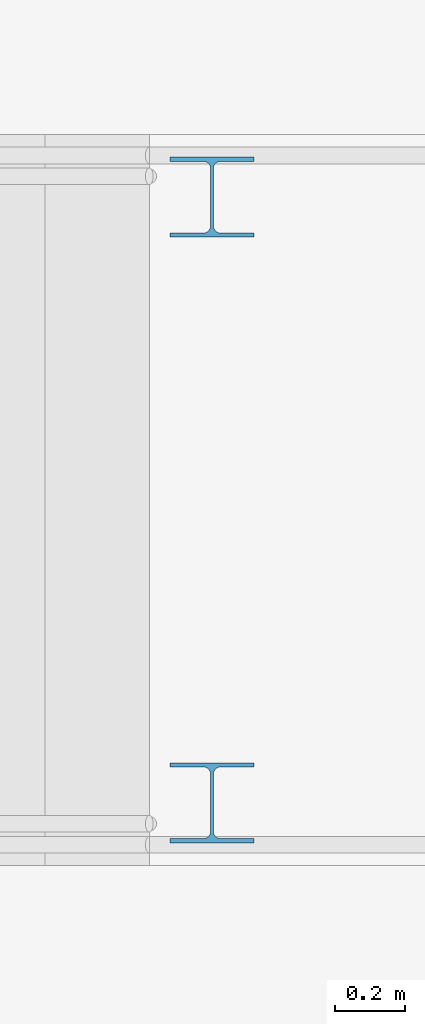
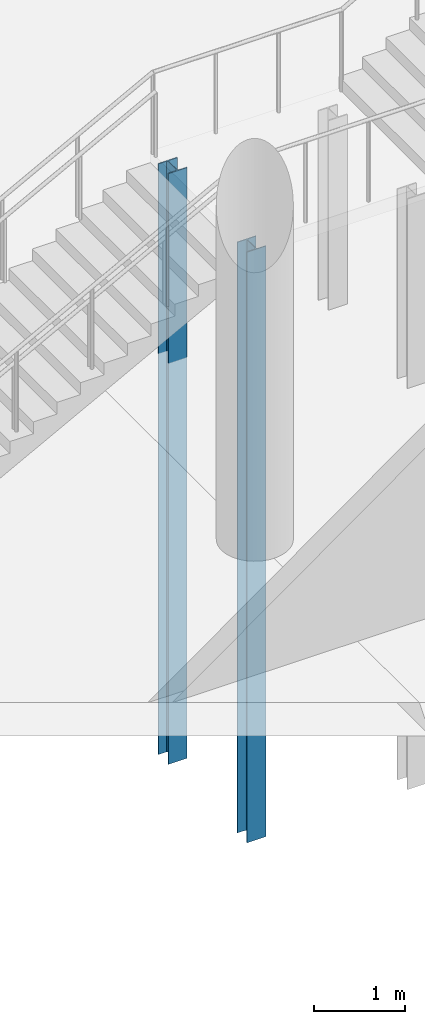
# One storey, part 22 of 86: 2 members.
"""IFC4 building model written with IfcOpenShell, lengths in metres."""

from ifc_helpers import new_model, si_unit, direction, frame, origin, origin_2d, place, context, subcontext, project, spatial, i_section, extrude, material, material_profile, profile_set, type_object, element, save


model = new_model("IFC4")

# Units and contexts
model_context = context("Model", 3, precision=1e-05, world=origin(), true_north=direction((0.0, 1.0)))
body_context = subcontext(model_context, "Body", "Model", "MODEL_VIEW")
ifc_project = project(units=[si_unit("LENGTHUNIT", "METRE"), si_unit("AREAUNIT", "SQUARE_METRE"), si_unit("VOLUMEUNIT", "CUBIC_METRE"), si_unit("PLANEANGLEUNIT", "RADIAN"), si_unit("MASSUNIT", "GRAM", prefix="KILO")], contexts=[model_context])

# Site, building, storey
site_placement = place(None, origin())
site = spatial("IfcSite", under=ifc_project, at=site_placement, CompositionType="ELEMENT")
building_placement = place(site_placement, origin())
building = spatial("IfcBuilding", under=site, at=building_placement, Name="Kenh Van Central Station", CompositionType="ELEMENT")
storey_placement = place(building_placement, origin())
storey = spatial("IfcBuildingStorey", under=building, at=storey_placement, Name="L00", CompositionType="ELEMENT", Elevation=0.0)

# Members
ifc_material = material(Name="Steel S355", Category="steel")
ifc_material_profile = material_profile(ifc_material, i_section(OverallWidth=0.239990234375, OverallDepth=0.22998046875, WebThickness=0.007568359375, FlangeThickness=0.011962890625, FilletRadius=0.02099609375, at=origin_2d()), Name="HEA 240")
ifc_profile_set = profile_set([ifc_material_profile], Name="Steel S355")
member_type = type_object("IfcMemberType", Name="MEM-ROOF-POST240", PredefinedType="POST", material=ifc_profile_set)
for number, where, z_axis, x_axis, name in (
    (1, (88.985107421875, 25.780029296875, -5.39990234375), (0.0, 0.0, 1.0), (1.0, 0.0, 0.0), "Ticket Hall Atrium Concourse Stair mid-landing support post 11"),
    (2, (88.985107421875, 27.52001953125, -5.39990234375), (0.0, 0.0, 1.0), (1.0, 0.0, 0.0), "Ticket Hall Atrium Concourse Stair mid-landing support post 12"),
):
    element("IfcMember", number, at=place(storey_placement, frame(where, z_axis=z_axis, x_axis=x_axis)), inside=storey, type_object=member_type, Name=name, PredefinedType="POST", context=body_context, shape_type="SweptSolid", body=[
        extrude(i_section(OverallWidth=0.239990234375, OverallDepth=0.22998046875, WebThickness=0.007568359375, FlangeThickness=0.011962890625, FilletRadius=0.02099609375, at=origin_2d()), origin(), (0.0, 0.0, 1.0), 7.949951171875),
    ])

save(model, "model.ifc")
